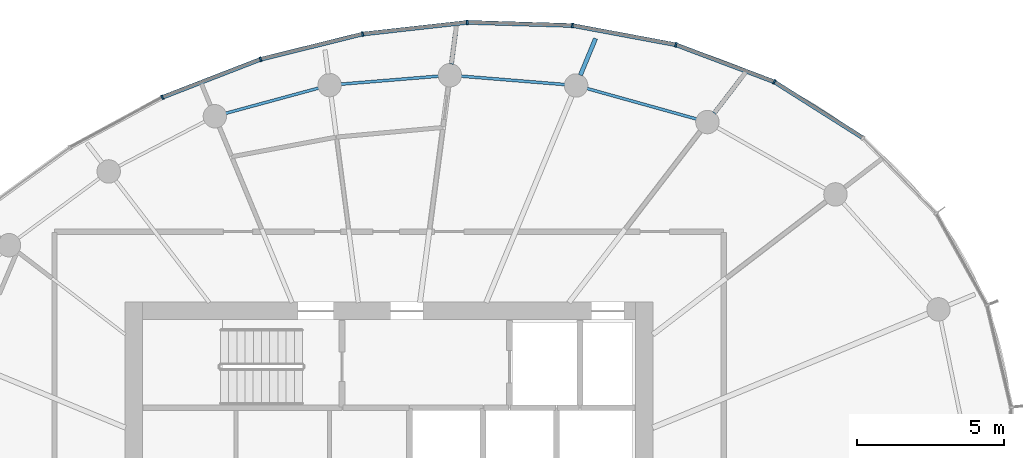
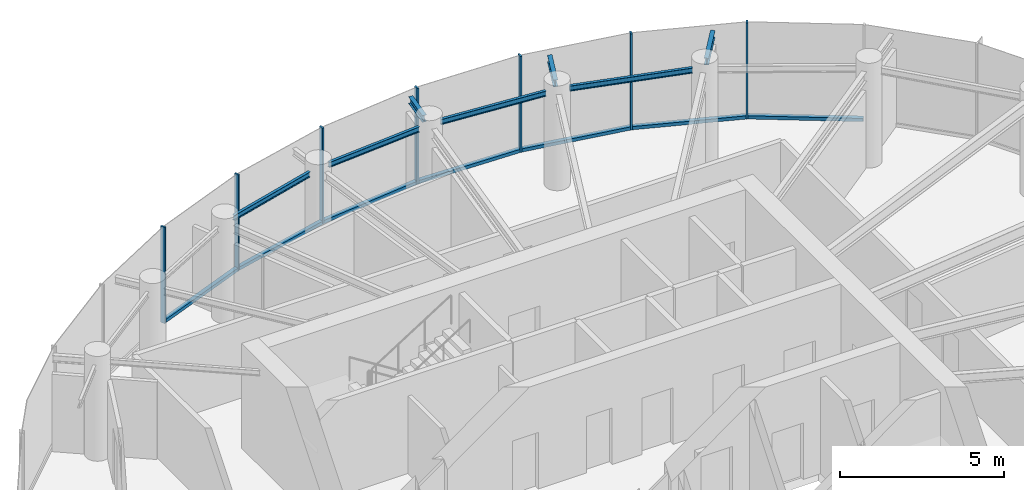
# One storey, part 6 of 13: 14 members, 7 beams, 2 elements without a shape of their own.
"""IFC4 building model written with IfcOpenShell, lengths in metres."""

from ifc_helpers import new_model, si_unit, direction, frame, origin, origin_2d, place, context, subcontext, project, spatial, rectangle, i_section, extrude, source, transform, mapped, material, layer, layer_set, material_profile, profile_set, type_object, element, aggregate, save


model = new_model("IFC4")

# Units and contexts
model_context = context("Model", 3, precision=1e-05, world=origin(), true_north=direction((0.0, 1.0)))
body_context = subcontext(model_context, "Body", "Model", "MODEL_VIEW")
ifc_project = project(units=[si_unit("LENGTHUNIT", "METRE"), si_unit("AREAUNIT", "SQUARE_METRE"), si_unit("VOLUMEUNIT", "CUBIC_METRE"), si_unit("PLANEANGLEUNIT", "RADIAN"), si_unit("MASSUNIT", "GRAM", prefix="KILO")], contexts=[model_context])

# Site, building, storey
site_placement = place(None, origin())
site = spatial("IfcSite", under=ifc_project, at=site_placement, CompositionType="ELEMENT")
building_placement = place(site_placement, origin())
building = spatial("IfcBuilding", under=site, at=building_placement, Name="Spindrift Exchange Tower", CompositionType="ELEMENT")
storey_placement = place(building_placement, frame((0.0, 0.0, 242.300048828125)))
storey = spatial("IfcBuildingStorey", under=building, at=storey_placement, Name="L59", CompositionType="ELEMENT", Elevation=242.300048828125)

# Beams
ifc_material_1 = material(Name="Steel Grade 300", Category="steel")
ifc_material_profile_1 = material_profile(ifc_material_1, i_section(OverallWidth=0.09912109375, OverallDepth=0.197998046875, WebThickness=0.00439453125, FlangeThickness=0.007080078125, FilletRadius=0.010986328125, at=origin_2d()), Name="200UB18.2")
ifc_profile_set_1 = profile_set([ifc_material_profile_1], Name="Steel Grade 300")
beam_type_1 = type_object("IfcBeamType", Name="Edge Beam 200UB18.2 Steel Grade 300", PredefinedType="SPANDREL", material=ifc_profile_set_1)
shared_shape_1 = source(origin(), body_context, "Body", "SweptSolid", [
    extrude(i_section(OverallWidth=0.09912109375, OverallDepth=0.197998046875, WebThickness=0.00439453125, FlangeThickness=0.007080078125, FilletRadius=0.010986328125, at=origin_2d()), origin(), (0.0, 0.0, 1.0), 3.885498046875),
])
beam_1_placement = place(storey_placement, frame((62.480712890625, 62.238037109375, 3.48095703125), z_axis=(-0.963333134661, 0.268308165482, 0.0), x_axis=(-0.268308165482, -0.963333134661, 0.0)))
element("IfcBeam", 1, at=beam_1_placement, inside=storey, type_object=beam_type_1, Name="L59 edge beam E04", PredefinedType="SPANDREL", context=body_context, shape_type="MappedRepresentation", body=[
    mapped(shared_shape_1, transform((0.0, 0.0, 0.0), scale=1.0)),
])
shared_shape_2 = source(origin(), body_context, "Body", "SweptSolid", [
    extrude(i_section(OverallWidth=0.09912109375, OverallDepth=0.197998046875, WebThickness=0.00439453125, FlangeThickness=0.007080078125, FilletRadius=0.010986328125, at=origin_2d()), origin(), (0.0, 0.0, 1.0), 3.5546875),
])
beam_2_placement = place(storey_placement, frame((57.992919921875, 63.413330078125, 3.48095703125), z_axis=(-0.996727103969, 0.080839842983, 0.0), x_axis=(-0.080839842983, -0.996727103969, 0.0)))
element("IfcBeam", 2, at=beam_2_placement, inside=storey, type_object=beam_type_1, Name="L59 edge beam E05", PredefinedType="SPANDREL", context=body_context, shape_type="MappedRepresentation", body=[
    mapped(shared_shape_2, transform((0.0, 0.0, 0.0), scale=1.0)),
])
shared_shape_3 = source(origin(), body_context, "Body", "SweptSolid", [
    extrude(i_section(OverallWidth=0.09912109375, OverallDepth=0.197998046875, WebThickness=0.00439453125, FlangeThickness=0.007080078125, FilletRadius=0.010986328125, at=origin_2d()), origin(), (0.0, 0.0, 1.0), 3.351806640625),
])
beam_3_placement = place(storey_placement, frame((53.6923828125, 63.7001953125, 3.48095703125), z_axis=(-0.996672670999, -0.081508201334, 0.0), x_axis=(0.081508201334, -0.996672670999, 0.0)))
element("IfcBeam", 3, at=beam_3_placement, inside=storey, type_object=beam_type_1, Name="L59 edge beam E06", PredefinedType="SPANDREL", context=body_context, shape_type="MappedRepresentation", body=[
    mapped(shared_shape_3, transform((0.0, 0.0, 0.0), scale=1.0)),
])
shared_shape_4 = source(origin(), body_context, "Body", "SweptSolid", [
    extrude(i_section(OverallWidth=0.09912109375, OverallDepth=0.197998046875, WebThickness=0.00439453125, FlangeThickness=0.007080078125, FilletRadius=0.010986328125, at=origin_2d()), origin(), (0.0, 0.0, 1.0), 3.2919921875),
])
beam_4_placement = place(storey_placement, frame((49.6064453125, 63.29638671875, 3.48095703125), z_axis=(-0.965045644564, -0.262081864896, 0.0), x_axis=(0.262081864896, -0.965045644564, 0.0)))
element("IfcBeam", 4, at=beam_4_placement, inside=storey, type_object=beam_type_1, Name="L59 edge beam E07", PredefinedType="SPANDREL", context=body_context, shape_type="MappedRepresentation", body=[
    mapped(shared_shape_4, transform((0.0, 0.0, 0.0), scale=1.0)),
])
ifc_material_profile_2 = material_profile(ifc_material_1, i_section(OverallWidth=0.14599609375, OverallDepth=0.251953125, WebThickness=0.006103515625, FlangeThickness=0.008544921875, FilletRadius=0.011962890625, at=origin_2d()), Name="250UB31.4")
ifc_profile_set_2 = profile_set([ifc_material_profile_2], Name="Steel Grade 300")
beam_type_2 = type_object("IfcBeamType", Name="Cantilever Beam 250UB31.4 Steel Grade 300", PredefinedType="BEAM", material=ifc_profile_set_2)
shared_shape_5 = source(origin(), body_context, "Body", "SweptSolid", [
    extrude(i_section(OverallWidth=0.14599609375, OverallDepth=0.251953125, WebThickness=0.006103515625, FlangeThickness=0.008544921875, FilletRadius=0.011962890625, at=origin_2d()), origin(), (0.0, 0.0, 1.0), 1.500732421875),
])
beam_5_placement = place(storey_placement, frame((63.078369140625, 62.4375, 3.453857421875), z_axis=(0.608735450219, 0.793373273842, 0.0), x_axis=(-0.793373273842, 0.608735450219, 0.0)))
element("IfcBeam", 5, at=beam_5_placement, inside=storey, type_object=beam_type_2, Name="L59 cantilever beam R04T", PredefinedType="BEAM", context=body_context, shape_type="MappedRepresentation", body=[
    mapped(shared_shape_5, transform((0.0, 0.0, 0.0), scale=1.0)),
])
shared_shape_6 = source(origin(), body_context, "Body", "SweptSolid", [
    extrude(i_section(OverallWidth=0.14599609375, OverallDepth=0.251953125, WebThickness=0.006103515625, FlangeThickness=0.008544921875, FilletRadius=0.011962890625, at=origin_2d()), origin(), (0.0, 0.0, 1.0), 1.3525390625),
])
beam_6_placement = place(storey_placement, frame((58.51708984375, 63.733642578125, 3.453857421875), z_axis=(0.382691904823, 0.923876023059, 0.0), x_axis=(-0.923876023059, 0.382691904823, 0.0)))
element("IfcBeam", 6, at=beam_6_placement, inside=storey, type_object=beam_type_2, Name="L59 cantilever beam R05T", PredefinedType="BEAM", context=body_context, shape_type="MappedRepresentation", body=[
    mapped(shared_shape_6, transform((0.0, 0.0, 0.0), scale=1.0)),
])
shared_shape_7 = source(origin(), body_context, "Body", "SweptSolid", [
    extrude(i_section(OverallWidth=0.14599609375, OverallDepth=0.251953125, WebThickness=0.006103515625, FlangeThickness=0.008544921875, FilletRadius=0.011962890625, at=origin_2d()), origin(), (0.0, 0.0, 1.0), 1.1015625),
])
beam_7_placement = place(storey_placement, frame((54.12060546875, 64.108154296875, 3.453857421875), z_axis=(0.130551983722, 0.991441465517, 0.0), x_axis=(-0.991441465517, 0.130551983722, 0.0)))
element("IfcBeam", 7, at=beam_7_placement, inside=storey, type_object=beam_type_2, Name="L59 cantilever beam R06T", PredefinedType="BEAM", context=body_context, shape_type="MappedRepresentation", body=[
    mapped(shared_shape_7, transform((0.0, 0.0, 0.0), scale=1.0)),
])

# Curtain wall, members
ifc_material_2 = material(Name="Fritted laminated glass with bronze frame", Category="glass")
ifc_layer = layer(ifc_material_2, 0.159912109375)
ifc_layer_set = layer_set([ifc_layer], Name="ZONE 5 BRONZE FRITTED WALL")
curtain_wall_type = type_object("IfcCurtainWallType", Name="ZONE 5 BRONZE FRITTED WALL", PredefinedType="NOTDEFINED", material=ifc_layer_set)
curtain_wall_1_placement = place(storey_placement, origin())
curtain_wall_1 = element("IfcCurtainWall", 8, at=curtain_wall_1_placement, inside=storey, type_object=curtain_wall_type, Name="L59 Zone 5 Bronze Fritted Wall run 2", PredefinedType="NOTDEFINED")
ifc_material_3 = material(Name="Bronze anodised aluminium", Category="aluminium")
ifc_material_profile_3 = material_profile(ifc_material_3, rectangle(XDim=0.139892578125, YDim=0.1201171875, at=origin_2d()), Name="ZONE 5 BRONZE FRITTED WALL TRANSOM 140X120")
ifc_profile_set_3 = profile_set([ifc_material_profile_3], Name="Bronze anodised aluminium")
member_type_1 = type_object("IfcMemberType", Name="ZONE 5 BRONZE FRITTED WALL TRANSOM 140X120", PredefinedType="USERDEFINED", material=ifc_profile_set_3)
shared_shape_8 = source(origin(), body_context, "Body", "SweptSolid", [
    extrude(rectangle(XDim=0.139892578125, YDim=0.1201171875, at=origin_2d()), origin(), (0.0, 0.0, 1.0), 3.52587890625),
])
member_1_placement = place(storey_placement, frame((54.63232421875, 65.529541015625, 0.06005859375), z_axis=(-0.993836356052, -0.110857103465, 0.0), x_axis=(0.110857103465, -0.993836356052, 0.0)))
member_1 = element("IfcMember", 9, at=member_1_placement, type_object=member_type_1, Name="L59 transom CW-5.7", ObjectType="TRANSOM", PredefinedType="USERDEFINED", context=body_context, shape_type="MappedRepresentation", body=[
    mapped(shared_shape_8, transform((0.0, 0.0, 0.0), scale=1.0)),
])
shared_shape_9 = source(origin(), body_context, "Body", "SweptSolid", [
    extrude(rectangle(XDim=0.139892578125, YDim=0.1201171875, at=origin_2d()), origin(), (0.0, 0.0, 1.0), 3.5263671875),
])
member_2_placement = place(storey_placement, frame((47.589111328125, 64.26318359375, 0.06005859375), z_axis=(-0.932470326423, -0.361246578311, 0.0), x_axis=(0.361246578311, -0.932470326423, 0.0)))
member_2 = element("IfcMember", 10, at=member_2_placement, type_object=member_type_1, Name="L59 transom CW-5.9", ObjectType="TRANSOM", PredefinedType="USERDEFINED", context=body_context, shape_type="MappedRepresentation", body=[
    mapped(shared_shape_9, transform((0.0, 0.0, 0.0), scale=1.0)),
])

# Curtain wall, member
curtain_wall_2_placement = place(storey_placement, origin())
curtain_wall_2 = element("IfcCurtainWall", 11, at=curtain_wall_2_placement, inside=storey, type_object=curtain_wall_type, Name="L59 Zone 5 Bronze Fritted Wall run 1", PredefinedType="NOTDEFINED")
shared_shape_10 = source(origin(), body_context, "Body", "SweptSolid", [
    extrude(rectangle(XDim=0.139892578125, YDim=0.1201171875, at=origin_2d()), origin(), (0.0, 0.0, 1.0), 3.521484375),
])
member_3_placement = place(storey_placement, frame((68.124755859375, 61.608154296875, 0.06005859375), z_axis=(-0.845111436495, 0.534590179394, 0.0), x_axis=(-0.534590179394, -0.845111436495, 0.0)))
member_3 = element("IfcMember", 12, at=member_3_placement, type_object=member_type_1, Name="L59 transom CW-5.3", ObjectType="TRANSOM", PredefinedType="USERDEFINED", context=body_context, shape_type="MappedRepresentation", body=[
    mapped(shared_shape_10, transform((0.0, 0.0, 0.0), scale=1.0)),
])

# Member
shared_shape_11 = source(origin(), body_context, "Body", "SweptSolid", [
    extrude(rectangle(XDim=0.139892578125, YDim=0.1201171875, at=origin_2d()), origin(), (0.0, 0.0, 1.0), 3.526123046875),
])
member_4_placement = place(storey_placement, frame((51.069091796875, 65.128173828125, 0.06005859375), z_axis=(-0.970726155931, -0.240188946856, 0.0), x_axis=(0.240188946856, -0.970726155931, 0.0)))
member_4 = element("IfcMember", 13, at=member_4_placement, type_object=member_type_1, Name="L59 transom CW-5.8", ObjectType="TRANSOM", PredefinedType="USERDEFINED", context=body_context, shape_type="MappedRepresentation", body=[
    mapped(shared_shape_11, transform((0.0, 0.0, 0.0), scale=1.0)),
])

shared_shape_12 = source(origin(), body_context, "Body", "SweptSolid", [
    extrude(rectangle(XDim=0.139892578125, YDim=0.1201171875, at=origin_2d()), origin(), (0.0, 0.0, 1.0), 3.5234375),
])
member_5_placement = place(storey_placement, frame((65.09521484375, 63.517333984375, 0.06005859375), z_axis=(-0.935789877312, 0.352558229971, 0.0), x_axis=(-0.352558229971, -0.935789877312, 0.0)))
member_5 = element("IfcMember", 14, at=member_5_placement, type_object=member_type_1, Name="L59 transom CW-5.4", ObjectType="TRANSOM", PredefinedType="USERDEFINED", context=body_context, shape_type="MappedRepresentation", body=[
    mapped(shared_shape_12, transform((0.0, 0.0, 0.0), scale=1.0)),
])

shared_shape_13 = source(origin(), body_context, "Body", "SweptSolid", [
    extrude(rectangle(XDim=0.139892578125, YDim=0.1201171875, at=origin_2d()), origin(), (0.0, 0.0, 1.0), 3.525634765625),
])
member_6_placement = place(storey_placement, frame((58.21630859375, 65.42822265625, 0.06005859375), z_axis=(-0.999566856253, 0.029429574916, 0.0), x_axis=(-0.029429574916, -0.999566856253, 0.0)))
member_6 = element("IfcMember", 15, at=member_6_placement, type_object=member_type_1, Name="L59 transom CW-5.6", ObjectType="TRANSOM", PredefinedType="USERDEFINED", context=body_context, shape_type="MappedRepresentation", body=[
    mapped(shared_shape_13, transform((0.0, 0.0, 0.0), scale=1.0)),
])

ifc_material_profile_4 = material_profile(ifc_material_3, rectangle(XDim=0.06005859375, YDim=0.159912109375, at=origin_2d()), Name="ZONE 5 BRONZE FRITTED WALL MULLION 60X160")
ifc_profile_set_4 = profile_set([ifc_material_profile_4], Name="Bronze anodised aluminium")
member_type_2 = type_object("IfcMemberType", Name="ZONE 5 BRONZE FRITTED WALL MULLION 60X160", PredefinedType="MULLION", material=ifc_profile_set_4)
shared_shape_14 = source(origin(), body_context, "Body", "SweptSolid", [
    extrude(rectangle(XDim=0.06005859375, YDim=0.159912109375, at=origin_2d()), origin(), (0.0, 0.0, 1.0), 3.579833984375),
])
member_7_placement = place(storey_placement, frame((65.123291015625, 63.506591796875, 0.0), z_axis=(0.0, 0.0, 1.0), x_axis=(-0.895075921928, 0.44591377416, 0.0)))
member_7 = element("IfcMember", 16, at=member_7_placement, type_object=member_type_2, Name="L59 mullion CW-5.4", PredefinedType="MULLION", context=body_context, shape_type="MappedRepresentation", body=[
    mapped(shared_shape_14, transform((0.0, 0.0, 0.0), scale=1.0)),
])

member_8_placement = place(storey_placement, frame((61.77001953125, 64.770263671875, 0.0), z_axis=(0.0, 0.0, 1.0), x_axis=(-0.963138536042, 0.269005874269, 0.0)))
member_8 = element("IfcMember", 17, at=member_8_placement, type_object=member_type_2, Name="L59 mullion CW-5.5", PredefinedType="MULLION", context=body_context, shape_type="MappedRepresentation", body=[
    mapped(shared_shape_14, transform((0.0, 0.0, 0.0), scale=1.0)),
])

member_9_placement = place(storey_placement, frame((58.24609375, 65.427490234375, 0.0), z_axis=(0.0, 0.0, 1.0), x_axis=(-0.994292715487, 0.10668643742, 0.0)))
member_9 = element("IfcMember", 18, at=member_9_placement, type_object=member_type_2, Name="L59 mullion CW-5.6", PredefinedType="MULLION", context=body_context, shape_type="MappedRepresentation", body=[
    mapped(shared_shape_14, transform((0.0, 0.0, 0.0), scale=1.0)),
])

member_10_placement = place(storey_placement, frame((54.662109375, 65.53271484375, 0.0), z_axis=(0.0, 0.0, 1.0), x_axis=(-0.999166244204, -0.040826663378, 0.0)))
member_10 = element("IfcMember", 19, at=member_10_placement, type_object=member_type_2, Name="L59 mullion CW-5.7", PredefinedType="MULLION", context=body_context, shape_type="MappedRepresentation", body=[
    mapped(shared_shape_14, transform((0.0, 0.0, 0.0), scale=1.0)),
])

member_11_placement = place(storey_placement, frame((51.098388671875, 65.13525390625, 0.0), z_axis=(0.0, 0.0, 1.0), x_axis=(-0.984412761017, -0.175873579442, 0.0)))
member_11 = element("IfcMember", 20, at=member_11_placement, type_object=member_type_2, Name="L59 mullion CW-5.8", PredefinedType="MULLION", context=body_context, shape_type="MappedRepresentation", body=[
    mapped(shared_shape_14, transform((0.0, 0.0, 0.0), scale=1.0)),
])

member_12_placement = place(storey_placement, frame((47.616943359375, 64.274169921875, 0.0), z_axis=(0.0, 0.0, 1.0), x_axis=(-0.953518403872, -0.301334786371, 0.0)))
member_12 = element("IfcMember", 21, at=member_12_placement, type_object=member_type_2, Name="L59 mullion CW-5.9", PredefinedType="MULLION", context=body_context, shape_type="MappedRepresentation", body=[
    mapped(shared_shape_14, transform((0.0, 0.0, 0.0), scale=1.0)),
])

member_13_placement = place(storey_placement, frame((44.27294921875, 62.978271484375, 0.0), z_axis=(0.0, 0.0, 1.0), x_axis=(-0.907603873375, -0.419827594417, 0.0)))
member_13 = element("IfcMember", 22, at=member_13_placement, type_object=member_type_2, Name="L59 mullion CW-5.10", PredefinedType="MULLION", context=body_context, shape_type="MappedRepresentation", body=[
    mapped(shared_shape_14, transform((0.0, 0.0, 0.0), scale=1.0)),
])

aggregate(curtain_wall_1, [member_10, member_1, member_11, member_4, member_12, member_2, member_13])

shared_shape_15 = source(origin(), body_context, "Body", "SweptSolid", [
    extrude(rectangle(XDim=0.139892578125, YDim=0.1201171875, at=origin_2d()), origin(), (0.0, 0.0, 1.0), 3.52490234375),
])
member_14_placement = place(storey_placement, frame((61.74072265625, 64.775634765625, 0.06005859375), z_axis=(-0.983049721336, 0.183339153976, 0.0), x_axis=(-0.183339153976, -0.983049721336, 0.0)))
member_14 = element("IfcMember", 23, at=member_14_placement, type_object=member_type_1, Name="L59 transom CW-5.5", ObjectType="TRANSOM", PredefinedType="USERDEFINED", context=body_context, shape_type="MappedRepresentation", body=[
    mapped(shared_shape_15, transform((0.0, 0.0, 0.0), scale=1.0)),
])

aggregate(curtain_wall_2, [member_3, member_7, member_5, member_8, member_14, member_9, member_6])

save(model, "model.ifc")
